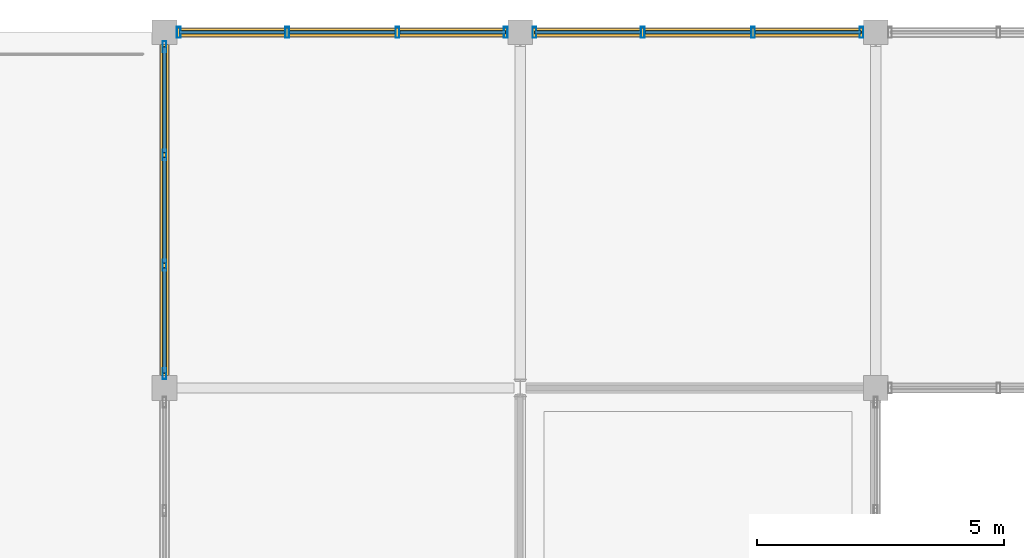
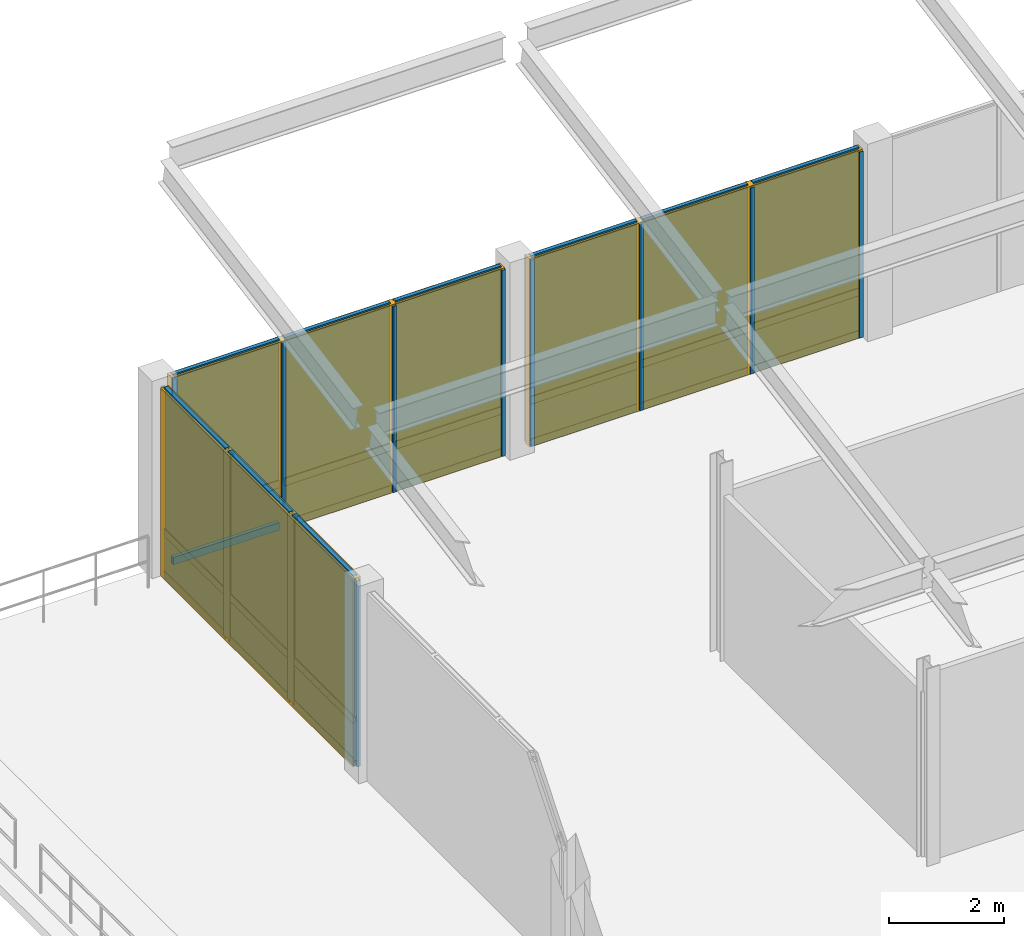
# One storey, part 13 of 16: 39 members, 18 plates, 3 curtain walls.
"""IFC4 building model written with IfcOpenShell, lengths in metres."""

from ifc_helpers import new_model, si_unit, direction, frame, origin, origin_2d, place, context, subcontext, project, spatial, rectangle, hollow_rectangle, extrude, material, layer, layer_set, material_profile, profile_set, type_object, element, aggregate, save


model = new_model("IFC4")

# Units and contexts
model_context = context("Model", 3, precision=1e-05, world=origin(), true_north=direction((0.0, 1.0)))
body_context = subcontext(model_context, "Body", "Model", "MODEL_VIEW")
ifc_project = project(units=[si_unit("LENGTHUNIT", "METRE"), si_unit("AREAUNIT", "SQUARE_METRE"), si_unit("VOLUMEUNIT", "CUBIC_METRE"), si_unit("PLANEANGLEUNIT", "RADIAN"), si_unit("MASSUNIT", "GRAM", prefix="KILO")], contexts=[model_context])

# Member
ifc_material_1 = material(Name="Anodized Aluminium 6063-T6", Category="aluminium")
ifc_material_profile_1 = material_profile(ifc_material_1, hollow_rectangle(XDim=0.074951171875, YDim=0.219970703125, WallThickness=0.0048828125, at=origin_2d()), Name="ALU 75x220x5")
ifc_profile_set_1 = profile_set([ifc_material_profile_1], Name="Anodized Aluminium 6063-T6")
member_type_1 = type_object("IfcMemberType", Name="CWM-75X180", PredefinedType="MULLION", material=ifc_profile_set_1)
site_placement = place(None, origin())
building_placement = place(site_placement, origin())
storey_placement = place(building_placement, frame((0.0, 0.0, 25.800048828125)))
member_1_placement = place(storey_placement, frame((57.889892578125, 115.199951171875, 0.02001953125), z_axis=(0.0, 0.0, 1.0), x_axis=(1.0, 0.0, 0.0)))
member_1 = element("IfcMember", 1, at=member_1_placement, type_object=member_type_1, Name="Curtain wall mullion CW-L07-08-15-N-00", PredefinedType="MULLION", context=body_context, shape_type="SweptSolid", body=[
    extrude(hollow_rectangle(XDim=0.074951171875, YDim=0.219970703125, WallThickness=0.0048828125, at=origin_2d()), origin(), (0.0, 0.0, 1.0), 3.9599609375),
])

member_2_placement = place(storey_placement, frame((60.083251953125, 115.199951171875, 0.02001953125), z_axis=(0.0, 0.0, 1.0), x_axis=(1.0, 0.0, 0.0)))
member_2 = element("IfcMember", 2, at=member_2_placement, type_object=member_type_1, Name="Curtain wall mullion CW-L07-08-15-N-01", PredefinedType="MULLION", context=body_context, shape_type="SweptSolid", body=[
    extrude(hollow_rectangle(XDim=0.074951171875, YDim=0.219970703125, WallThickness=0.0048828125, at=origin_2d()), origin(), (0.0, 0.0, 1.0), 3.9599609375),
])

member_3_placement = place(storey_placement, frame((62.316650390625, 115.199951171875, 0.02001953125), z_axis=(0.0, 0.0, 1.0), x_axis=(1.0, 0.0, 0.0)))
member_3 = element("IfcMember", 3, at=member_3_placement, type_object=member_type_1, Name="Curtain wall mullion CW-L07-08-15-N-02", PredefinedType="MULLION", context=body_context, shape_type="SweptSolid", body=[
    extrude(hollow_rectangle(XDim=0.074951171875, YDim=0.219970703125, WallThickness=0.0048828125, at=origin_2d()), origin(), (0.0, 0.0, 1.0), 3.9599609375),
])

member_4_placement = place(storey_placement, frame((64.510009765625, 115.199951171875, 0.02001953125), z_axis=(0.0, 0.0, 1.0), x_axis=(1.0, 0.0, 0.0)))
member_4 = element("IfcMember", 4, at=member_4_placement, type_object=member_type_1, Name="Curtain wall mullion CW-L07-08-15-N-03", PredefinedType="MULLION", context=body_context, shape_type="SweptSolid", body=[
    extrude(hollow_rectangle(XDim=0.074951171875, YDim=0.219970703125, WallThickness=0.0048828125, at=origin_2d()), origin(), (0.0, 0.0, 1.0), 3.9599609375),
])

member_5_placement = place(storey_placement, frame((57.60009765625, 108.2900390625, 0.02001953125), z_axis=(0.0, 0.0, 1.0), x_axis=(1.0, 0.0, 0.0)))
member_5 = element("IfcMember", 5, at=member_5_placement, type_object=member_type_1, Name="Curtain wall mullion CW-L07-08-15-W-00", PredefinedType="MULLION", context=body_context, shape_type="SweptSolid", body=[
    extrude(hollow_rectangle(XDim=0.074951171875, YDim=0.219970703125, WallThickness=0.0048828125, at=origin_2d()), origin(), (0.0, 0.0, 1.0), 3.9599609375),
])

member_6_placement = place(storey_placement, frame((57.60009765625, 110.4833984375, 0.02001953125), z_axis=(0.0, 0.0, 1.0), x_axis=(1.0, 0.0, 0.0)))
member_6 = element("IfcMember", 6, at=member_6_placement, type_object=member_type_1, Name="Curtain wall mullion CW-L07-08-15-W-01", PredefinedType="MULLION", context=body_context, shape_type="SweptSolid", body=[
    extrude(hollow_rectangle(XDim=0.074951171875, YDim=0.219970703125, WallThickness=0.0048828125, at=origin_2d()), origin(), (0.0, 0.0, 1.0), 3.9599609375),
])

member_7_placement = place(storey_placement, frame((57.60009765625, 112.716796875, 0.02001953125), z_axis=(0.0, 0.0, 1.0), x_axis=(1.0, 0.0, 0.0)))
member_7 = element("IfcMember", 7, at=member_7_placement, type_object=member_type_1, Name="Curtain wall mullion CW-L07-08-15-W-02", PredefinedType="MULLION", context=body_context, shape_type="SweptSolid", body=[
    extrude(hollow_rectangle(XDim=0.074951171875, YDim=0.219970703125, WallThickness=0.0048828125, at=origin_2d()), origin(), (0.0, 0.0, 1.0), 3.9599609375),
])

member_8_placement = place(storey_placement, frame((57.60009765625, 114.909912109375, 0.02001953125), z_axis=(0.0, 0.0, 1.0), x_axis=(1.0, 0.0, 0.0)))
member_8 = element("IfcMember", 8, at=member_8_placement, type_object=member_type_1, Name="Curtain wall mullion CW-L07-08-15-W-03", PredefinedType="MULLION", context=body_context, shape_type="SweptSolid", body=[
    extrude(hollow_rectangle(XDim=0.074951171875, YDim=0.219970703125, WallThickness=0.0048828125, at=origin_2d()), origin(), (0.0, 0.0, 1.0), 3.9599609375),
])

member_9_placement = place(storey_placement, frame((65.090087890625, 115.199951171875, 0.02001953125), z_axis=(0.0, 0.0, 1.0), x_axis=(1.0, 0.0, 0.0)))
member_9 = element("IfcMember", 9, at=member_9_placement, type_object=member_type_1, Name="Curtain wall mullion CW-L07-09-15-N-00", PredefinedType="MULLION", context=body_context, shape_type="SweptSolid", body=[
    extrude(hollow_rectangle(XDim=0.074951171875, YDim=0.219970703125, WallThickness=0.0048828125, at=origin_2d()), origin(), (0.0, 0.0, 1.0), 3.9599609375),
])

member_10_placement = place(storey_placement, frame((67.283203125, 115.199951171875, 0.02001953125), z_axis=(0.0, 0.0, 1.0), x_axis=(1.0, 0.0, 0.0)))
member_10 = element("IfcMember", 10, at=member_10_placement, type_object=member_type_1, Name="Curtain wall mullion CW-L07-09-15-N-01", PredefinedType="MULLION", context=body_context, shape_type="SweptSolid", body=[
    extrude(hollow_rectangle(XDim=0.074951171875, YDim=0.219970703125, WallThickness=0.0048828125, at=origin_2d()), origin(), (0.0, 0.0, 1.0), 3.9599609375),
])

member_11_placement = place(storey_placement, frame((69.5166015625, 115.199951171875, 0.02001953125), z_axis=(0.0, 0.0, 1.0), x_axis=(1.0, 0.0, 0.0)))
member_11 = element("IfcMember", 11, at=member_11_placement, type_object=member_type_1, Name="Curtain wall mullion CW-L07-09-15-N-02", PredefinedType="MULLION", context=body_context, shape_type="SweptSolid", body=[
    extrude(hollow_rectangle(XDim=0.074951171875, YDim=0.219970703125, WallThickness=0.0048828125, at=origin_2d()), origin(), (0.0, 0.0, 1.0), 3.9599609375),
])

member_12_placement = place(storey_placement, frame((71.7099609375, 115.199951171875, 0.02001953125), z_axis=(0.0, 0.0, 1.0), x_axis=(1.0, 0.0, 0.0)))
member_12 = element("IfcMember", 12, at=member_12_placement, type_object=member_type_1, Name="Curtain wall mullion CW-L07-09-15-N-03", PredefinedType="MULLION", context=body_context, shape_type="SweptSolid", body=[
    extrude(hollow_rectangle(XDim=0.074951171875, YDim=0.219970703125, WallThickness=0.0048828125, at=origin_2d()), origin(), (0.0, 0.0, 1.0), 3.9599609375),
])

ifc_material_profile_2 = material_profile(ifc_material_1, hollow_rectangle(XDim=0.074951171875, YDim=0.159912109375, WallThickness=0.00390625, at=origin_2d()), Name="ALU 75x160x4")
ifc_profile_set_2 = profile_set([ifc_material_profile_2], Name="Anodized Aluminium 6063-T6")
member_type_2 = type_object("IfcMemberType", Name="CWT-75X150", PredefinedType="USERDEFINED", material=ifc_profile_set_2)
member_13_placement = place(storey_placement, frame((57.89990234375, 115.199951171875, 0.050048828125), z_axis=(1.0, 0.0, 0.0), x_axis=(0.0, 1.0, 0.0)))
member_13 = element("IfcMember", 13, at=member_13_placement, type_object=member_type_2, Name="Curtain wall transom CW-L07-08-15-N-1.01", ObjectType="TRANSOM", PredefinedType="USERDEFINED", context=body_context, shape_type="SweptSolid", body=[
    extrude(hollow_rectangle(XDim=0.074951171875, YDim=0.159912109375, WallThickness=0.00390625, at=origin_2d()), origin(), (0.0, 0.0, 1.0), 2.13330078125),
])

member_14_placement = place(storey_placement, frame((60.13330078125, 115.199951171875, 0.050048828125), z_axis=(1.0, 0.0, 0.0), x_axis=(0.0, 1.0, 0.0)))
member_14 = element("IfcMember", 14, at=member_14_placement, type_object=member_type_2, Name="Curtain wall transom CW-L07-08-15-N-1.02", ObjectType="TRANSOM", PredefinedType="USERDEFINED", context=body_context, shape_type="SweptSolid", body=[
    extrude(hollow_rectangle(XDim=0.074951171875, YDim=0.159912109375, WallThickness=0.00390625, at=origin_2d()), origin(), (0.0, 0.0, 1.0), 2.13330078125),
])

member_15_placement = place(storey_placement, frame((62.36669921875, 115.199951171875, 0.050048828125), z_axis=(1.0, 0.0, 0.0), x_axis=(0.0, 1.0, 0.0)))
member_15 = element("IfcMember", 15, at=member_15_placement, type_object=member_type_2, Name="Curtain wall transom CW-L07-08-15-N-1.03", ObjectType="TRANSOM", PredefinedType="USERDEFINED", context=body_context, shape_type="SweptSolid", body=[
    extrude(hollow_rectangle(XDim=0.074951171875, YDim=0.159912109375, WallThickness=0.00390625, at=origin_2d()), origin(), (0.0, 0.0, 1.0), 2.13330078125),
])

member_16_placement = place(storey_placement, frame((57.89990234375, 115.199951171875, 0.949951171875), z_axis=(1.0, 0.0, 0.0), x_axis=(0.0, 1.0, 0.0)))
member_16 = element("IfcMember", 16, at=member_16_placement, type_object=member_type_2, Name="Curtain wall transom CW-L07-08-15-N-2.01", ObjectType="TRANSOM", PredefinedType="USERDEFINED", context=body_context, shape_type="SweptSolid", body=[
    extrude(hollow_rectangle(XDim=0.074951171875, YDim=0.159912109375, WallThickness=0.00390625, at=origin_2d()), origin(), (0.0, 0.0, 1.0), 2.13330078125),
])

member_17_placement = place(storey_placement, frame((60.13330078125, 115.199951171875, 0.949951171875), z_axis=(1.0, 0.0, 0.0), x_axis=(0.0, 1.0, 0.0)))
member_17 = element("IfcMember", 17, at=member_17_placement, type_object=member_type_2, Name="Curtain wall transom CW-L07-08-15-N-2.02", ObjectType="TRANSOM", PredefinedType="USERDEFINED", context=body_context, shape_type="SweptSolid", body=[
    extrude(hollow_rectangle(XDim=0.074951171875, YDim=0.159912109375, WallThickness=0.00390625, at=origin_2d()), origin(), (0.0, 0.0, 1.0), 2.13330078125),
])

member_18_placement = place(storey_placement, frame((62.36669921875, 115.199951171875, 0.949951171875), z_axis=(1.0, 0.0, 0.0), x_axis=(0.0, 1.0, 0.0)))
member_18 = element("IfcMember", 18, at=member_18_placement, type_object=member_type_2, Name="Curtain wall transom CW-L07-08-15-N-2.03", ObjectType="TRANSOM", PredefinedType="USERDEFINED", context=body_context, shape_type="SweptSolid", body=[
    extrude(hollow_rectangle(XDim=0.074951171875, YDim=0.159912109375, WallThickness=0.00390625, at=origin_2d()), origin(), (0.0, 0.0, 1.0), 2.13330078125),
])

member_19_placement = place(storey_placement, frame((57.89990234375, 115.199951171875, 3.949951171875), z_axis=(1.0, 0.0, 0.0), x_axis=(0.0, 1.0, 0.0)))
member_19 = element("IfcMember", 19, at=member_19_placement, type_object=member_type_2, Name="Curtain wall transom CW-L07-08-15-N-3.01", ObjectType="TRANSOM", PredefinedType="USERDEFINED", context=body_context, shape_type="SweptSolid", body=[
    extrude(hollow_rectangle(XDim=0.074951171875, YDim=0.159912109375, WallThickness=0.00390625, at=origin_2d()), origin(), (0.0, 0.0, 1.0), 2.13330078125),
])

member_20_placement = place(storey_placement, frame((60.13330078125, 115.199951171875, 3.949951171875), z_axis=(1.0, 0.0, 0.0), x_axis=(0.0, 1.0, 0.0)))
member_20 = element("IfcMember", 20, at=member_20_placement, type_object=member_type_2, Name="Curtain wall transom CW-L07-08-15-N-3.02", ObjectType="TRANSOM", PredefinedType="USERDEFINED", context=body_context, shape_type="SweptSolid", body=[
    extrude(hollow_rectangle(XDim=0.074951171875, YDim=0.159912109375, WallThickness=0.00390625, at=origin_2d()), origin(), (0.0, 0.0, 1.0), 2.13330078125),
])

member_21_placement = place(storey_placement, frame((62.36669921875, 115.199951171875, 3.949951171875), z_axis=(1.0, 0.0, 0.0), x_axis=(0.0, 1.0, 0.0)))
member_21 = element("IfcMember", 21, at=member_21_placement, type_object=member_type_2, Name="Curtain wall transom CW-L07-08-15-N-3.03", ObjectType="TRANSOM", PredefinedType="USERDEFINED", context=body_context, shape_type="SweptSolid", body=[
    extrude(hollow_rectangle(XDim=0.074951171875, YDim=0.159912109375, WallThickness=0.00390625, at=origin_2d()), origin(), (0.0, 0.0, 1.0), 2.13330078125),
])

member_22_placement = place(storey_placement, frame((57.60009765625, 108.300048828125, 0.050048828125), z_axis=(0.0, 1.0, 0.0), x_axis=(-1.0, 0.0, 0.0)))
member_22 = element("IfcMember", 22, at=member_22_placement, type_object=member_type_2, Name="Curtain wall transom CW-L07-08-15-W-1.01", ObjectType="TRANSOM", PredefinedType="USERDEFINED", context=body_context, shape_type="SweptSolid", body=[
    extrude(hollow_rectangle(XDim=0.074951171875, YDim=0.159912109375, WallThickness=0.00390625, at=origin_2d()), origin(), (0.0, 0.0, 1.0), 2.13330078125),
])

member_23_placement = place(storey_placement, frame((57.60009765625, 110.533203125, 0.050048828125), z_axis=(0.0, 1.0, 0.0), x_axis=(-1.0, 0.0, 0.0)))
member_23 = element("IfcMember", 23, at=member_23_placement, type_object=member_type_2, Name="Curtain wall transom CW-L07-08-15-W-1.02", ObjectType="TRANSOM", PredefinedType="USERDEFINED", context=body_context, shape_type="SweptSolid", body=[
    extrude(hollow_rectangle(XDim=0.074951171875, YDim=0.159912109375, WallThickness=0.00390625, at=origin_2d()), origin(), (0.0, 0.0, 1.0), 2.133544921875),
])

member_24_placement = place(storey_placement, frame((57.60009765625, 112.7666015625, 0.050048828125), z_axis=(0.0, 1.0, 0.0), x_axis=(-1.0, 0.0, 0.0)))
member_24 = element("IfcMember", 24, at=member_24_placement, type_object=member_type_2, Name="Curtain wall transom CW-L07-08-15-W-1.03", ObjectType="TRANSOM", PredefinedType="USERDEFINED", context=body_context, shape_type="SweptSolid", body=[
    extrude(hollow_rectangle(XDim=0.074951171875, YDim=0.159912109375, WallThickness=0.00390625, at=origin_2d()), origin(), (0.0, 0.0, 1.0), 2.13330078125),
])

member_25_placement = place(storey_placement, frame((57.60009765625, 108.300048828125, 0.949951171875), z_axis=(0.0, 1.0, 0.0), x_axis=(-1.0, 0.0, 0.0)))
member_25 = element("IfcMember", 25, at=member_25_placement, type_object=member_type_2, Name="Curtain wall transom CW-L07-08-15-W-2.01", ObjectType="TRANSOM", PredefinedType="USERDEFINED", context=body_context, shape_type="SweptSolid", body=[
    extrude(hollow_rectangle(XDim=0.074951171875, YDim=0.159912109375, WallThickness=0.00390625, at=origin_2d()), origin(), (0.0, 0.0, 1.0), 2.13330078125),
])

member_26_placement = place(storey_placement, frame((57.60009765625, 110.533203125, 0.949951171875), z_axis=(0.0, 1.0, 0.0), x_axis=(-1.0, 0.0, 0.0)))
member_26 = element("IfcMember", 26, at=member_26_placement, type_object=member_type_2, Name="Curtain wall transom CW-L07-08-15-W-2.02", ObjectType="TRANSOM", PredefinedType="USERDEFINED", context=body_context, shape_type="SweptSolid", body=[
    extrude(hollow_rectangle(XDim=0.074951171875, YDim=0.159912109375, WallThickness=0.00390625, at=origin_2d()), origin(), (0.0, 0.0, 1.0), 2.133544921875),
])

member_27_placement = place(storey_placement, frame((57.60009765625, 112.7666015625, 0.949951171875), z_axis=(0.0, 1.0, 0.0), x_axis=(-1.0, 0.0, 0.0)))
member_27 = element("IfcMember", 27, at=member_27_placement, type_object=member_type_2, Name="Curtain wall transom CW-L07-08-15-W-2.03", ObjectType="TRANSOM", PredefinedType="USERDEFINED", context=body_context, shape_type="SweptSolid", body=[
    extrude(hollow_rectangle(XDim=0.074951171875, YDim=0.159912109375, WallThickness=0.00390625, at=origin_2d()), origin(), (0.0, 0.0, 1.0), 2.13330078125),
])

member_28_placement = place(storey_placement, frame((57.60009765625, 108.300048828125, 3.949951171875), z_axis=(0.0, 1.0, 0.0), x_axis=(-1.0, 0.0, 0.0)))
member_28 = element("IfcMember", 28, at=member_28_placement, type_object=member_type_2, Name="Curtain wall transom CW-L07-08-15-W-3.01", ObjectType="TRANSOM", PredefinedType="USERDEFINED", context=body_context, shape_type="SweptSolid", body=[
    extrude(hollow_rectangle(XDim=0.074951171875, YDim=0.159912109375, WallThickness=0.00390625, at=origin_2d()), origin(), (0.0, 0.0, 1.0), 2.13330078125),
])

member_29_placement = place(storey_placement, frame((57.60009765625, 110.533203125, 3.949951171875), z_axis=(0.0, 1.0, 0.0), x_axis=(-1.0, 0.0, 0.0)))
member_29 = element("IfcMember", 29, at=member_29_placement, type_object=member_type_2, Name="Curtain wall transom CW-L07-08-15-W-3.02", ObjectType="TRANSOM", PredefinedType="USERDEFINED", context=body_context, shape_type="SweptSolid", body=[
    extrude(hollow_rectangle(XDim=0.074951171875, YDim=0.159912109375, WallThickness=0.00390625, at=origin_2d()), origin(), (0.0, 0.0, 1.0), 2.133544921875),
])

member_30_placement = place(storey_placement, frame((57.60009765625, 112.7666015625, 3.949951171875), z_axis=(0.0, 1.0, 0.0), x_axis=(-1.0, 0.0, 0.0)))
member_30 = element("IfcMember", 30, at=member_30_placement, type_object=member_type_2, Name="Curtain wall transom CW-L07-08-15-W-3.03", ObjectType="TRANSOM", PredefinedType="USERDEFINED", context=body_context, shape_type="SweptSolid", body=[
    extrude(hollow_rectangle(XDim=0.074951171875, YDim=0.159912109375, WallThickness=0.00390625, at=origin_2d()), origin(), (0.0, 0.0, 1.0), 2.13330078125),
])

member_31_placement = place(storey_placement, frame((65.10009765625, 115.199951171875, 0.050048828125), z_axis=(1.0, 0.0, 0.0), x_axis=(0.0, 1.0, 0.0)))
member_31 = element("IfcMember", 31, at=member_31_placement, type_object=member_type_2, Name="Curtain wall transom CW-L07-09-15-N-1.01", ObjectType="TRANSOM", PredefinedType="USERDEFINED", context=body_context, shape_type="SweptSolid", body=[
    extrude(hollow_rectangle(XDim=0.074951171875, YDim=0.159912109375, WallThickness=0.00390625, at=origin_2d()), origin(), (0.0, 0.0, 1.0), 2.13330078125),
])

member_32_placement = place(storey_placement, frame((67.333251953125, 115.199951171875, 0.050048828125), z_axis=(1.0, 0.0, 0.0), x_axis=(0.0, 1.0, 0.0)))
member_32 = element("IfcMember", 32, at=member_32_placement, type_object=member_type_2, Name="Curtain wall transom CW-L07-09-15-N-1.02", ObjectType="TRANSOM", PredefinedType="USERDEFINED", context=body_context, shape_type="SweptSolid", body=[
    extrude(hollow_rectangle(XDim=0.074951171875, YDim=0.159912109375, WallThickness=0.00390625, at=origin_2d()), origin(), (0.0, 0.0, 1.0), 2.133544921875),
])

member_33_placement = place(storey_placement, frame((69.566650390625, 115.199951171875, 0.050048828125), z_axis=(1.0, 0.0, 0.0), x_axis=(0.0, 1.0, 0.0)))
member_33 = element("IfcMember", 33, at=member_33_placement, type_object=member_type_2, Name="Curtain wall transom CW-L07-09-15-N-1.03", ObjectType="TRANSOM", PredefinedType="USERDEFINED", context=body_context, shape_type="SweptSolid", body=[
    extrude(hollow_rectangle(XDim=0.074951171875, YDim=0.159912109375, WallThickness=0.00390625, at=origin_2d()), origin(), (0.0, 0.0, 1.0), 2.13330078125),
])

member_34_placement = place(storey_placement, frame((65.10009765625, 115.199951171875, 0.949951171875), z_axis=(1.0, 0.0, 0.0), x_axis=(0.0, 1.0, 0.0)))
member_34 = element("IfcMember", 34, at=member_34_placement, type_object=member_type_2, Name="Curtain wall transom CW-L07-09-15-N-2.01", ObjectType="TRANSOM", PredefinedType="USERDEFINED", context=body_context, shape_type="SweptSolid", body=[
    extrude(hollow_rectangle(XDim=0.074951171875, YDim=0.159912109375, WallThickness=0.00390625, at=origin_2d()), origin(), (0.0, 0.0, 1.0), 2.13330078125),
])

member_35_placement = place(storey_placement, frame((67.333251953125, 115.199951171875, 0.949951171875), z_axis=(1.0, 0.0, 0.0), x_axis=(0.0, 1.0, 0.0)))
member_35 = element("IfcMember", 35, at=member_35_placement, type_object=member_type_2, Name="Curtain wall transom CW-L07-09-15-N-2.02", ObjectType="TRANSOM", PredefinedType="USERDEFINED", context=body_context, shape_type="SweptSolid", body=[
    extrude(hollow_rectangle(XDim=0.074951171875, YDim=0.159912109375, WallThickness=0.00390625, at=origin_2d()), origin(), (0.0, 0.0, 1.0), 2.133544921875),
])

member_36_placement = place(storey_placement, frame((69.566650390625, 115.199951171875, 0.949951171875), z_axis=(1.0, 0.0, 0.0), x_axis=(0.0, 1.0, 0.0)))
member_36 = element("IfcMember", 36, at=member_36_placement, type_object=member_type_2, Name="Curtain wall transom CW-L07-09-15-N-2.03", ObjectType="TRANSOM", PredefinedType="USERDEFINED", context=body_context, shape_type="SweptSolid", body=[
    extrude(hollow_rectangle(XDim=0.074951171875, YDim=0.159912109375, WallThickness=0.00390625, at=origin_2d()), origin(), (0.0, 0.0, 1.0), 2.13330078125),
])

member_37_placement = place(storey_placement, frame((65.10009765625, 115.199951171875, 3.949951171875), z_axis=(1.0, 0.0, 0.0), x_axis=(0.0, 1.0, 0.0)))
member_37 = element("IfcMember", 37, at=member_37_placement, type_object=member_type_2, Name="Curtain wall transom CW-L07-09-15-N-3.01", ObjectType="TRANSOM", PredefinedType="USERDEFINED", context=body_context, shape_type="SweptSolid", body=[
    extrude(hollow_rectangle(XDim=0.074951171875, YDim=0.159912109375, WallThickness=0.00390625, at=origin_2d()), origin(), (0.0, 0.0, 1.0), 2.13330078125),
])

member_38_placement = place(storey_placement, frame((67.333251953125, 115.199951171875, 3.949951171875), z_axis=(1.0, 0.0, 0.0), x_axis=(0.0, 1.0, 0.0)))
member_38 = element("IfcMember", 38, at=member_38_placement, type_object=member_type_2, Name="Curtain wall transom CW-L07-09-15-N-3.02", ObjectType="TRANSOM", PredefinedType="USERDEFINED", context=body_context, shape_type="SweptSolid", body=[
    extrude(hollow_rectangle(XDim=0.074951171875, YDim=0.159912109375, WallThickness=0.00390625, at=origin_2d()), origin(), (0.0, 0.0, 1.0), 2.133544921875),
])

member_39_placement = place(storey_placement, frame((69.566650390625, 115.199951171875, 3.949951171875), z_axis=(1.0, 0.0, 0.0), x_axis=(0.0, 1.0, 0.0)))
member_39 = element("IfcMember", 39, at=member_39_placement, type_object=member_type_2, Name="Curtain wall transom CW-L07-09-15-N-3.03", ObjectType="TRANSOM", PredefinedType="USERDEFINED", context=body_context, shape_type="SweptSolid", body=[
    extrude(hollow_rectangle(XDim=0.074951171875, YDim=0.159912109375, WallThickness=0.00390625, at=origin_2d()), origin(), (0.0, 0.0, 1.0), 2.13330078125),
])

# Plate
ifc_material_2 = material(Name="Acoustic Laminated Low-E Glazing", Category="glass")
ifc_layer_1 = layer(ifc_material_2, 0.0439453125)
ifc_layer_set_1 = layer_set([ifc_layer_1], Name="Acoustic Laminated Low-E Glazing")
plate_type_1 = type_object("IfcPlateType", Name="CWP-IGU-44", PredefinedType="CURTAIN_PANEL", material=ifc_layer_set_1)
plate_1_placement = place(storey_placement, frame((58.966796875, 115.199951171875, 0.98974609375), z_axis=(0.0, 0.0, 1.0), x_axis=(1.0, 0.0, 0.0)))
plate_1 = element("IfcPlate", 40, at=plate_1_placement, type_object=plate_type_1, Name="Curtain wall vision glazing CW-L07-08-15-N-01", PredefinedType="CURTAIN_PANEL", context=body_context, shape_type="SweptSolid", body=[
    extrude(rectangle(XDim=2.143310546875, YDim=0.0400390625, at=origin_2d()), origin(), (0.0, 0.0, 1.0), 2.949951171875),
])

plate_2_placement = place(storey_placement, frame((61.199951171875, 115.199951171875, 0.98974609375), z_axis=(0.0, 0.0, 1.0), x_axis=(1.0, 0.0, 0.0)))
plate_2 = element("IfcPlate", 41, at=plate_2_placement, type_object=plate_type_1, Name="Curtain wall vision glazing CW-L07-08-15-N-02", PredefinedType="CURTAIN_PANEL", context=body_context, shape_type="SweptSolid", body=[
    extrude(rectangle(XDim=2.143310546875, YDim=0.0400390625, at=origin_2d()), origin(), (0.0, 0.0, 1.0), 2.949951171875),
])

plate_3_placement = place(storey_placement, frame((63.433349609375, 115.199951171875, 0.98974609375), z_axis=(0.0, 0.0, 1.0), x_axis=(1.0, 0.0, 0.0)))
plate_3 = element("IfcPlate", 42, at=plate_3_placement, type_object=plate_type_1, Name="Curtain wall vision glazing CW-L07-08-15-N-03", PredefinedType="CURTAIN_PANEL", context=body_context, shape_type="SweptSolid", body=[
    extrude(rectangle(XDim=2.143310546875, YDim=0.0400390625, at=origin_2d()), origin(), (0.0, 0.0, 1.0), 2.949951171875),
])

plate_4_placement = place(storey_placement, frame((57.60009765625, 109.36669921875, 0.98974609375), z_axis=(0.0, 0.0, 1.0), x_axis=(0.0, 1.0, 0.0)))
plate_4 = element("IfcPlate", 43, at=plate_4_placement, type_object=plate_type_1, Name="Curtain wall vision glazing CW-L07-08-15-W-01", PredefinedType="CURTAIN_PANEL", context=body_context, shape_type="SweptSolid", body=[
    extrude(rectangle(XDim=2.143310546875, YDim=0.0400390625, at=origin_2d()), origin(), (0.0, 0.0, 1.0), 2.949951171875),
])

plate_5_placement = place(storey_placement, frame((57.60009765625, 111.60009765625, 0.98974609375), z_axis=(0.0, 0.0, 1.0), x_axis=(0.0, 1.0, 0.0)))
plate_5 = element("IfcPlate", 44, at=plate_5_placement, type_object=plate_type_1, Name="Curtain wall vision glazing CW-L07-08-15-W-02", PredefinedType="CURTAIN_PANEL", context=body_context, shape_type="SweptSolid", body=[
    extrude(rectangle(XDim=2.143310546875, YDim=0.0400390625, at=origin_2d()), origin(), (0.0, 0.0, 1.0), 2.949951171875),
])

plate_6_placement = place(storey_placement, frame((57.60009765625, 113.833251953125, 0.98974609375), z_axis=(0.0, 0.0, 1.0), x_axis=(0.0, 1.0, 0.0)))
plate_6 = element("IfcPlate", 45, at=plate_6_placement, type_object=plate_type_1, Name="Curtain wall vision glazing CW-L07-08-15-W-03", PredefinedType="CURTAIN_PANEL", context=body_context, shape_type="SweptSolid", body=[
    extrude(rectangle(XDim=2.143310546875, YDim=0.0400390625, at=origin_2d()), origin(), (0.0, 0.0, 1.0), 2.949951171875),
])

plate_7_placement = place(storey_placement, frame((66.166748046875, 115.199951171875, 0.98974609375), z_axis=(0.0, 0.0, 1.0), x_axis=(1.0, 0.0, 0.0)))
plate_7 = element("IfcPlate", 46, at=plate_7_placement, type_object=plate_type_1, Name="Curtain wall vision glazing CW-L07-09-15-N-01", PredefinedType="CURTAIN_PANEL", context=body_context, shape_type="SweptSolid", body=[
    extrude(rectangle(XDim=2.143310546875, YDim=0.0400390625, at=origin_2d()), origin(), (0.0, 0.0, 1.0), 2.949951171875),
])

plate_8_placement = place(storey_placement, frame((68.39990234375, 115.199951171875, 0.98974609375), z_axis=(0.0, 0.0, 1.0), x_axis=(1.0, 0.0, 0.0)))
plate_8 = element("IfcPlate", 47, at=plate_8_placement, type_object=plate_type_1, Name="Curtain wall vision glazing CW-L07-09-15-N-02", PredefinedType="CURTAIN_PANEL", context=body_context, shape_type="SweptSolid", body=[
    extrude(rectangle(XDim=2.143310546875, YDim=0.0400390625, at=origin_2d()), origin(), (0.0, 0.0, 1.0), 2.949951171875),
])

plate_9_placement = place(storey_placement, frame((70.63330078125, 115.199951171875, 0.98974609375), z_axis=(0.0, 0.0, 1.0), x_axis=(1.0, 0.0, 0.0)))
plate_9 = element("IfcPlate", 48, at=plate_9_placement, type_object=plate_type_1, Name="Curtain wall vision glazing CW-L07-09-15-N-03", PredefinedType="CURTAIN_PANEL", context=body_context, shape_type="SweptSolid", body=[
    extrude(rectangle(XDim=2.143310546875, YDim=0.0400390625, at=origin_2d()), origin(), (0.0, 0.0, 1.0), 2.949951171875),
])

ifc_material_3 = material(Name="Insulated Stone-Composite Spandrel", Category="masonry")
ifc_layer_2 = layer(ifc_material_3, 0.068115234375)
ifc_layer_set_2 = layer_set([ifc_layer_2], Name="Insulated Stone-Composite Spandrel")
plate_type_2 = type_object("IfcPlateType", Name="CWP-SPN-68", PredefinedType="CURTAIN_PANEL", material=ifc_layer_set_2)
plate_10_placement = place(storey_placement, frame((58.966796875, 115.199951171875, 0.080078125), z_axis=(0.0, 0.0, 1.0), x_axis=(1.0, 0.0, 0.0)))
plate_10 = element("IfcPlate", 49, at=plate_10_placement, type_object=plate_type_2, Name="Curtain wall spandrel panel CW-L07-08-15-N-01", PredefinedType="CURTAIN_PANEL", context=body_context, shape_type="SweptSolid", body=[
    extrude(rectangle(XDim=2.143310546875, YDim=0.06005859375, at=origin_2d()), origin(), (0.0, 0.0, 1.0), 0.840087890625),
])

plate_11_placement = place(storey_placement, frame((61.199951171875, 115.199951171875, 0.080078125), z_axis=(0.0, 0.0, 1.0), x_axis=(1.0, 0.0, 0.0)))
plate_11 = element("IfcPlate", 50, at=plate_11_placement, type_object=plate_type_2, Name="Curtain wall spandrel panel CW-L07-08-15-N-02", PredefinedType="CURTAIN_PANEL", context=body_context, shape_type="SweptSolid", body=[
    extrude(rectangle(XDim=2.143310546875, YDim=0.06005859375, at=origin_2d()), origin(), (0.0, 0.0, 1.0), 0.840087890625),
])

plate_12_placement = place(storey_placement, frame((63.433349609375, 115.199951171875, 0.080078125), z_axis=(0.0, 0.0, 1.0), x_axis=(1.0, 0.0, 0.0)))
plate_12 = element("IfcPlate", 51, at=plate_12_placement, type_object=plate_type_2, Name="Curtain wall spandrel panel CW-L07-08-15-N-03", PredefinedType="CURTAIN_PANEL", context=body_context, shape_type="SweptSolid", body=[
    extrude(rectangle(XDim=2.143310546875, YDim=0.06005859375, at=origin_2d()), origin(), (0.0, 0.0, 1.0), 0.840087890625),
])

plate_13_placement = place(storey_placement, frame((57.60009765625, 109.36669921875, 0.080078125), z_axis=(0.0, 0.0, 1.0), x_axis=(0.0, 1.0, 0.0)))
plate_13 = element("IfcPlate", 52, at=plate_13_placement, type_object=plate_type_2, Name="Curtain wall spandrel panel CW-L07-08-15-W-01", PredefinedType="CURTAIN_PANEL", context=body_context, shape_type="SweptSolid", body=[
    extrude(rectangle(XDim=2.143310546875, YDim=0.06005859375, at=origin_2d()), origin(), (0.0, 0.0, 1.0), 0.840087890625),
])

plate_14_placement = place(storey_placement, frame((57.60009765625, 111.60009765625, 0.080078125), z_axis=(0.0, 0.0, 1.0), x_axis=(0.0, 1.0, 0.0)))
plate_14 = element("IfcPlate", 53, at=plate_14_placement, type_object=plate_type_2, Name="Curtain wall spandrel panel CW-L07-08-15-W-02", PredefinedType="CURTAIN_PANEL", context=body_context, shape_type="SweptSolid", body=[
    extrude(rectangle(XDim=2.143310546875, YDim=0.06005859375, at=origin_2d()), origin(), (0.0, 0.0, 1.0), 0.840087890625),
])

plate_15_placement = place(storey_placement, frame((57.60009765625, 113.833251953125, 0.080078125), z_axis=(0.0, 0.0, 1.0), x_axis=(0.0, 1.0, 0.0)))
plate_15 = element("IfcPlate", 54, at=plate_15_placement, type_object=plate_type_2, Name="Curtain wall spandrel panel CW-L07-08-15-W-03", PredefinedType="CURTAIN_PANEL", context=body_context, shape_type="SweptSolid", body=[
    extrude(rectangle(XDim=2.143310546875, YDim=0.06005859375, at=origin_2d()), origin(), (0.0, 0.0, 1.0), 0.840087890625),
])

plate_16_placement = place(storey_placement, frame((66.166748046875, 115.199951171875, 0.080078125), z_axis=(0.0, 0.0, 1.0), x_axis=(1.0, 0.0, 0.0)))
plate_16 = element("IfcPlate", 55, at=plate_16_placement, type_object=plate_type_2, Name="Curtain wall spandrel panel CW-L07-09-15-N-01", PredefinedType="CURTAIN_PANEL", context=body_context, shape_type="SweptSolid", body=[
    extrude(rectangle(XDim=2.143310546875, YDim=0.06005859375, at=origin_2d()), origin(), (0.0, 0.0, 1.0), 0.840087890625),
])

plate_17_placement = place(storey_placement, frame((68.39990234375, 115.199951171875, 0.080078125), z_axis=(0.0, 0.0, 1.0), x_axis=(1.0, 0.0, 0.0)))
plate_17 = element("IfcPlate", 56, at=plate_17_placement, type_object=plate_type_2, Name="Curtain wall spandrel panel CW-L07-09-15-N-02", PredefinedType="CURTAIN_PANEL", context=body_context, shape_type="SweptSolid", body=[
    extrude(rectangle(XDim=2.143310546875, YDim=0.06005859375, at=origin_2d()), origin(), (0.0, 0.0, 1.0), 0.840087890625),
])

plate_18_placement = place(storey_placement, frame((70.63330078125, 115.199951171875, 0.080078125), z_axis=(0.0, 0.0, 1.0), x_axis=(1.0, 0.0, 0.0)))
plate_18 = element("IfcPlate", 57, at=plate_18_placement, type_object=plate_type_2, Name="Curtain wall spandrel panel CW-L07-09-15-N-03", PredefinedType="CURTAIN_PANEL", context=body_context, shape_type="SweptSolid", body=[
    extrude(rectangle(XDim=2.143310546875, YDim=0.06005859375, at=origin_2d()), origin(), (0.0, 0.0, 1.0), 0.840087890625),
])

# Site, building, storey
site = spatial("IfcSite", under=ifc_project, at=site_placement, CompositionType="ELEMENT")
building = spatial("IfcBuilding", under=site, at=building_placement, Name="Sillqori Civic Hall", CompositionType="ELEMENT")
storey = spatial("IfcBuildingStorey", under=building, at=storey_placement, Name="L07", CompositionType="ELEMENT", Elevation=25.800048828125)

# Curtain wall
ifc_material_4 = material(Name="Anodized Aluminium Curtain Wall System", Category="aluminium")
curtain_wall_type = type_object("IfcCurtainWallType", Name="CW-OB-340", PredefinedType="NOTDEFINED", material=ifc_material_4)
curtain_wall_1_placement = place(storey_placement, frame((61.199951171875, 115.199951171875, 0.0), z_axis=(0.0, 0.0, 1.0), x_axis=(1.0, 0.0, 0.0)))
curtain_wall_1 = element("IfcCurtainWall", 58, at=curtain_wall_1_placement, inside=storey, type_object=curtain_wall_type, Name="L07 unitised curtain wall CW-L07-08-15-N", PredefinedType="NOTDEFINED", context=body_context, shape_type="SweptSolid", body=[
    extrude(rectangle(XDim=6.699951171875, YDim=0.159912109375, at=origin_2d()), origin(), (0.0, 0.0, 1.0), 4.0),
])

aggregate(curtain_wall_1, [member_1, member_2, member_3, member_4, member_13, member_14, member_15, member_16, member_17, member_18, member_19, member_20, member_21, plate_10, plate_1, plate_11, plate_2, plate_12, plate_3])

curtain_wall_2_placement = place(storey_placement, frame((57.60009765625, 111.60009765625, 0.0), z_axis=(0.0, 0.0, 1.0), x_axis=(0.0, 1.0, 0.0)))
curtain_wall_2 = element("IfcCurtainWall", 59, at=curtain_wall_2_placement, inside=storey, type_object=curtain_wall_type, Name="L07 unitised curtain wall CW-L07-08-15-W", PredefinedType="NOTDEFINED", context=body_context, shape_type="SweptSolid", body=[
    extrude(rectangle(XDim=6.699951171875, YDim=0.159912109375, at=origin_2d()), origin(), (0.0, 0.0, 1.0), 4.0),
])

aggregate(curtain_wall_2, [member_5, member_6, member_7, member_8, member_22, member_23, member_24, member_25, member_26, member_27, member_28, member_29, member_30, plate_13, plate_4, plate_14, plate_5, plate_15, plate_6])

curtain_wall_3_placement = place(storey_placement, frame((68.39990234375, 115.199951171875, 0.0), z_axis=(0.0, 0.0, 1.0), x_axis=(1.0, 0.0, 0.0)))
curtain_wall_3 = element("IfcCurtainWall", 60, at=curtain_wall_3_placement, inside=storey, type_object=curtain_wall_type, Name="L07 unitised curtain wall CW-L07-09-15-N", PredefinedType="NOTDEFINED", context=body_context, shape_type="SweptSolid", body=[
    extrude(rectangle(XDim=6.699951171875, YDim=0.159912109375, at=origin_2d()), origin(), (0.0, 0.0, 1.0), 4.0),
])

aggregate(curtain_wall_3, [member_9, member_10, member_11, member_12, member_31, member_32, member_33, member_34, member_35, member_36, member_37, member_38, member_39, plate_16, plate_7, plate_17, plate_8, plate_18, plate_9])

save(model, "model.ifc")
